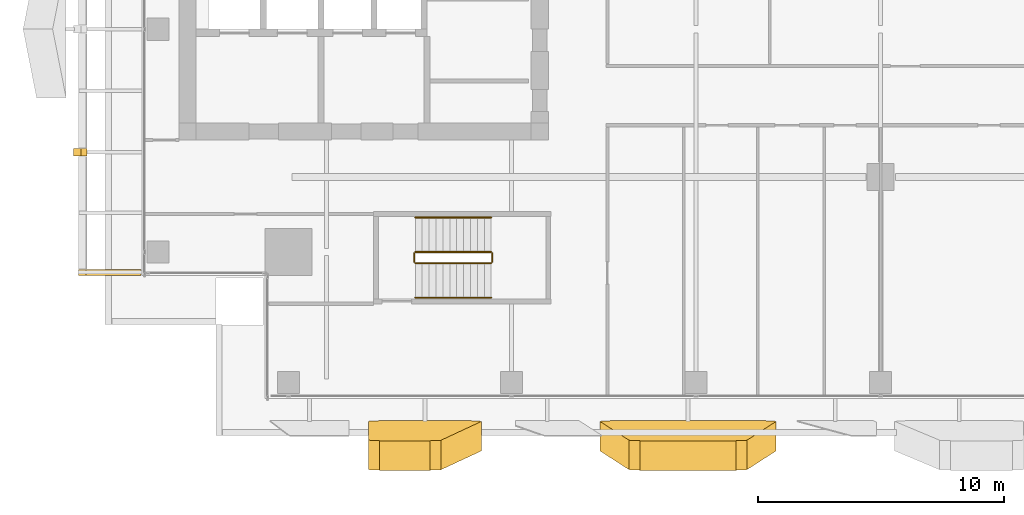
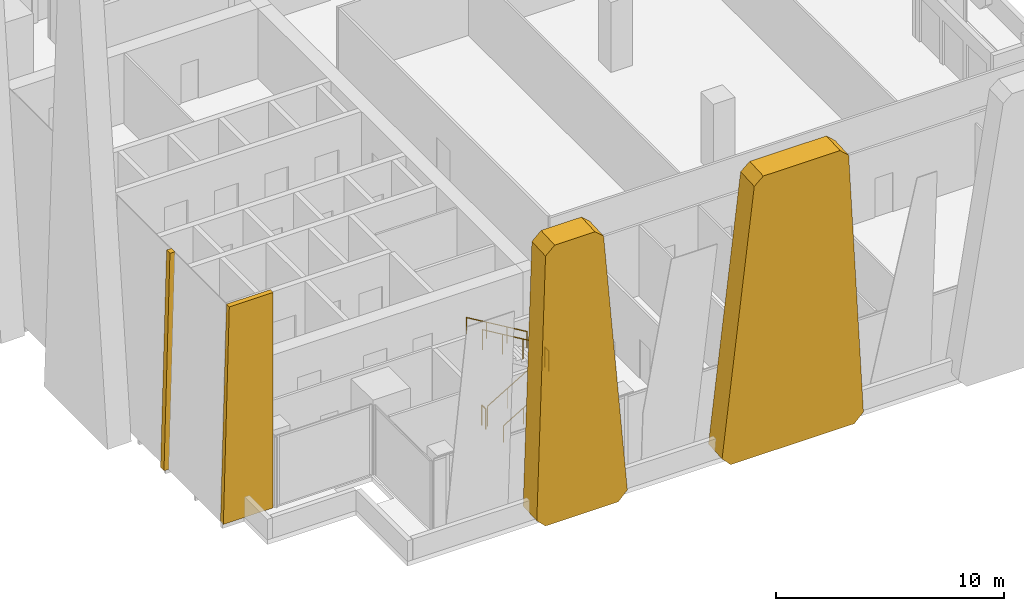
# One storey, part 30 of 33: 6 railings, 4 coverings.
"""IFC4 building model written with IfcOpenShell, lengths in metres."""

from ifc_helpers import new_model, si_unit, direction, frame, origin, origin_2d, place, context, subcontext, project, spatial, polyline, circle, outline, extrude, source, transform, mapped, material, layer, layer_set, type_object, element, save


model = new_model("IFC4")

# Units and contexts
model_context = context("Model", 3, precision=1e-05, world=origin(), true_north=direction((0.0, 1.0)))
body_context = subcontext(model_context, "Body", "Model", "MODEL_VIEW")
ifc_project = project(units=[si_unit("LENGTHUNIT", "METRE"), si_unit("AREAUNIT", "SQUARE_METRE"), si_unit("VOLUMEUNIT", "CUBIC_METRE"), si_unit("PLANEANGLEUNIT", "RADIAN"), si_unit("MASSUNIT", "GRAM", prefix="KILO")], contexts=[model_context])

# Site, building, storey
site_placement = place(None, origin())
site = spatial("IfcSite", under=ifc_project, at=site_placement, CompositionType="ELEMENT")
building_placement = place(site_placement, origin())
building = spatial("IfcBuilding", under=site, at=building_placement, Name="Khomas Fold Tower", CompositionType="ELEMENT")
storey_placement = place(building_placement, frame((0.0, 0.0, 222.199951171875)))
storey = spatial("IfcBuildingStorey", under=building, at=storey_placement, Name="L49", CompositionType="ELEMENT", Elevation=222.199951171875)

# Coverings
ifc_material_1 = material(Name="Natural stone cladding", Category="masonry")
ifc_layer_1 = layer(ifc_material_1, 0.25)
ifc_layer_set_1 = layer_set([ifc_layer_1], Name="Natural stone cladding")
covering_type_1 = type_object("IfcCoveringType", Name="SK-Karibib marble stone mullion", PredefinedType="CLADDING", material=ifc_layer_set_1)
covering_1_placement = place(storey_placement, frame((1.710693359375, 14.35009765625, 0.006591796875), z_axis=(-0.999657230839, 0.0, 0.026180543005), x_axis=(0.0, 1.0, 0.0)))
element("IfcCovering", 1, at=covering_1_placement, inside=storey, type_object=covering_type_1, Name="OUTER SKIN mullion L49 W2", PredefinedType="CLADDING", context=body_context, shape_type="SweptSolid", body=[
    extrude(outline(polyline([(0.0, 0.0), (0.2998046875, 0.0), (0.2998046875, -11.554009186164079), (0.0, -11.554009186164079), (0.0, 0.0)])), origin(), (0.0, 0.0, -1.0), 0.25),
])
covering_2_placement = place(storey_placement, frame((4.449951171875, 9.5, 11.550048828125), z_axis=(0.0, -1.0, 0.0), x_axis=(-1.0, 0.0, 0.0)))
element("IfcCovering", 2, at=covering_2_placement, inside=storey, type_object=covering_type_1, Name="OUTER SKIN return L49 W1", PredefinedType="CLADDING", context=body_context, shape_type="SweptSolid", body=[
    extrude(outline(polyline([(0.0, 0.0), (2.226806640625, 0.0), (2.529296875, 11.550048828125), (0.0, 11.550048828125), (0.0, 0.0)])), origin(), (0.0, 0.0, -1.0), 0.25),
])
ifc_material_2 = material(Name="Natural stone cladding", Category="masonry")
ifc_layer_2 = layer(ifc_material_2, 1.199951171875)
ifc_layer_set_2 = layer_set([ifc_layer_2], Name="Natural stone cladding")
covering_type_2 = type_object("IfcCoveringType", Name="SK-Karibib marble stone panel", PredefinedType="CLADDING", material=ifc_layer_set_2)
covering_3_placement = place(storey_placement, frame((16.641845703125, 2.805908203125, 15.150390625), z_axis=(1.2878463e-05, 0.998629270767, 0.052340991594), x_axis=(0.11164692769, 0.052012316584, -0.992385853618)))
element("IfcCovering", 3, at=covering_3_placement, inside=storey, type_object=covering_type_2, Name="OUTER SKIN leaf L49 SS03-1", PredefinedType="CLADDING", context=body_context, shape_type="SweptSolid", body=[
    extrude(outline(polyline([(0.0, 0.0), (14.762550064097132, -2.220446049250313e-16), (15.210420858219523, 0.5003975416786792), (14.798123146245729, 4.1701805747057925), (14.30013056551825, 4.567013427369275), (-0.2784037737649789, 2.929124675817904), (-0.6759123242719194, 2.4316828601969442), (-0.44763033711202727, 0.39978857872120194), (0.0, 0.0)])), origin(), (0.0, 0.0, -1.0), 1.199951171875),
])
covering_4_placement = place(storey_placement, frame((29.068115234375, 2.806640625, 15.136474609375), z_axis=(0.0, 0.998629310043, 0.052340243819), x_axis=(0.080881304167, 0.052168763592, -0.995357541159)))
element("IfcCovering", 4, at=covering_4_placement, inside=storey, type_object=covering_type_2, Name="OUTER SKIN leaf L49 SS06-2", PredefinedType="CLADDING", context=body_context, shape_type="SweptSolid", body=[
    extrude(outline(polyline([(0.0, 0.0), (14.718230618990505, 0.0), (15.167607167806661, 0.48642614780185833), (14.660479810964308, 6.735903467242145), (14.138554943908188, 7.143511260395962), (-0.3871284102053702, 4.770695539585189), (-0.7636292818273093, 4.290183046264265), (-0.4490491898619049, 0.413521447634749), (0.0, 0.0)])), origin(), (0.0, 0.0, -1.0), 1.199951171875),
])

# Railings
ifc_material_3 = material(Name="Steel balustrade", Category="steel")
railing_type_1 = type_object("IfcRailingType", Name="Stair guard", PredefinedType="GUARDRAIL", material=ifc_material_3)
shared_shape_1 = source(origin(), body_context, "Body", "SweptSolid", [
    extrude(circle(Radius=0.02392578125, at=origin_2d()), frame((0.0, 0.0, 1.076171875), z_axis=(0.0, 1.0, 0.0), x_axis=(-1.0, 0.0, 0.0)), (0.0, 0.0, 1.0), 0.349853515625),
    extrude(circle(Radius=0.02099609375, at=origin_2d()), origin(), (0.0, 0.0, 1.0), 1.052001953125),
    extrude(circle(Radius=0.02099609375, at=origin_2d()), frame((0.0, 0.349853515625, 0.0)), (0.0, 0.0, 1.0), 1.052001953125),
])
for number, where, name in (
    (5, (18.72998046875, 10.050048828125, 2.0), "L49 ST2 stair guard 2"),
    (6, (15.550048828125, 10.050048828125, 0.0), "L49 ST2 stair guard 4"),
):
    element("IfcRailing", number, at=place(storey_placement, frame(where)), inside=storey, type_object=railing_type_1, Name=name, PredefinedType="GUARDRAIL", context=body_context, shape_type="MappedRepresentation", body=[
        mapped(shared_shape_1, transform((0.0, 0.0, 0.0))),
    ])
shared_shape_2 = source(origin(), body_context, "Body", "SweptSolid", [
    extrude(circle(Radius=0.02392578125, at=origin_2d()), frame((0.0, 0.0, 1.076171875), z_axis=(0.859290745958, 0.0, 0.51148745235), x_axis=(0.0, 1.0, 0.0)), (0.0, 0.0, 1.0), 3.584228515625),
    extrude(circle(Radius=0.02099609375, at=origin_2d()), origin(), (0.0, 0.0, 1.0), 1.052001953125),
    extrude(circle(Radius=0.02099609375, at=origin_2d()), frame((1.026611328125, 0.0, 0.611083984375)), (0.0, 0.0, 1.0), 1.052001953125),
    extrude(circle(Radius=0.02099609375, at=origin_2d()), frame((2.05322265625, 0.0, 1.22216796875)), (0.0, 0.0, 1.0), 1.052001953125),
    extrude(circle(Radius=0.02099609375, at=origin_2d()), frame((3.079833984375, 0.0, 1.833251953125)), (0.0, 0.0, 1.0), 1.052001953125),
])
railing_1_placement = place(storey_placement, frame((15.60009765625, 10.0, 0.166748046875)))
element("IfcRailing", 7, at=railing_1_placement, inside=storey, type_object=railing_type_1, Name="L49 ST2 stair guard 1", PredefinedType="GUARDRAIL", context=body_context, shape_type="MappedRepresentation", body=[
    mapped(shared_shape_2, transform((0.0, 0.0, 0.0))),
])
shared_shape_3 = source(origin(), body_context, "Body", "SweptSolid", [
    extrude(circle(Radius=0.02392578125, at=origin_2d()), frame((0.0, 0.0, 1.076171875), z_axis=(-0.859290745958, 0.0, 0.51148745235), x_axis=(0.0, -1.0, 0.0)), (0.0, 0.0, 1.0), 3.584228515625),
    extrude(circle(Radius=0.02099609375, at=origin_2d()), origin(), (0.0, 0.0, 1.0), 1.052001953125),
    extrude(circle(Radius=0.02099609375, at=origin_2d()), frame((-1.026611328125, 0.0, 0.611083984375)), (0.0, 0.0, 1.0), 1.052001953125),
    extrude(circle(Radius=0.02099609375, at=origin_2d()), frame((-2.05322265625, 0.0, 1.22216796875)), (0.0, 0.0, 1.0), 1.052001953125),
    extrude(circle(Radius=0.02099609375, at=origin_2d()), frame((-3.079833984375, 0.0, 1.833251953125)), (0.0, 0.0, 1.0), 1.052001953125),
])
railing_2_placement = place(storey_placement, frame((18.679931640625, 10.449951171875, 2.166748046875)))
element("IfcRailing", 8, at=railing_2_placement, inside=storey, type_object=railing_type_1, Name="L49 ST2 stair guard 3", PredefinedType="GUARDRAIL", context=body_context, shape_type="MappedRepresentation", body=[
    mapped(shared_shape_3, transform((0.0, 0.0, 0.0))),
])
ifc_material_4 = material(Name="Steel handrail", Category="steel")
railing_type_2 = type_object("IfcRailingType", Name="Stair handrail", PredefinedType="HANDRAIL", material=ifc_material_4)
shared_shape_4 = source(origin(), body_context, "Body", "SweptSolid", [
    extrude(circle(Radius=0.02392578125, at=origin_2d()), frame((0.0, 0.0, 0.8759765625), z_axis=(0.859290745958, 0.0, 0.51148745235), x_axis=(0.0, 1.0, 0.0)), (0.0, 0.0, 1.0), 3.584228515625),
    extrude(circle(Radius=0.02099609375, at=origin_2d()), origin(), (0.0, 0.0, 1.0), 0.851806640625),
    extrude(circle(Radius=0.02099609375, at=origin_2d()), frame((1.026611328125, 0.0, 0.611083984375)), (0.0, 0.0, 1.0), 0.851806640625),
    extrude(circle(Radius=0.02099609375, at=origin_2d()), frame((2.05322265625, 0.0, 1.22216796875)), (0.0, 0.0, 1.0), 0.851806640625),
    extrude(circle(Radius=0.02099609375, at=origin_2d()), frame((3.079833984375, 0.0, 1.833251953125)), (0.0, 0.0, 1.0), 0.851806640625),
])
railing_3_placement = place(storey_placement, frame((15.60009765625, 8.60009765625, 0.166748046875)))
element("IfcRailing", 9, at=railing_3_placement, inside=storey, type_object=railing_type_2, Name="L49 ST2 stair handrail 1", PredefinedType="HANDRAIL", context=body_context, shape_type="MappedRepresentation", body=[
    mapped(shared_shape_4, transform((0.0, 0.0, 0.0))),
])
shared_shape_5 = source(origin(), body_context, "Body", "SweptSolid", [
    extrude(circle(Radius=0.02392578125, at=origin_2d()), frame((0.0, 0.0, 0.8759765625), z_axis=(-0.859290745958, 0.0, 0.51148745235), x_axis=(0.0, -1.0, 0.0)), (0.0, 0.0, 1.0), 3.584228515625),
    extrude(circle(Radius=0.02099609375, at=origin_2d()), origin(), (0.0, 0.0, 1.0), 0.851806640625),
    extrude(circle(Radius=0.02099609375, at=origin_2d()), frame((-1.026611328125, 0.0, 0.611083984375)), (0.0, 0.0, 1.0), 0.851806640625),
    extrude(circle(Radius=0.02099609375, at=origin_2d()), frame((-2.05322265625, 0.0, 1.22216796875)), (0.0, 0.0, 1.0), 0.851806640625),
    extrude(circle(Radius=0.02099609375, at=origin_2d()), frame((-3.079833984375, 0.0, 1.833251953125)), (0.0, 0.0, 1.0), 0.851806640625),
])
railing_4_placement = place(storey_placement, frame((18.679931640625, 11.85009765625, 2.166748046875)))
element("IfcRailing", 10, at=railing_4_placement, inside=storey, type_object=railing_type_2, Name="L49 ST2 stair handrail 2", PredefinedType="HANDRAIL", context=body_context, shape_type="MappedRepresentation", body=[
    mapped(shared_shape_5, transform((0.0, 0.0, 0.0))),
])

save(model, "model.ifc")
